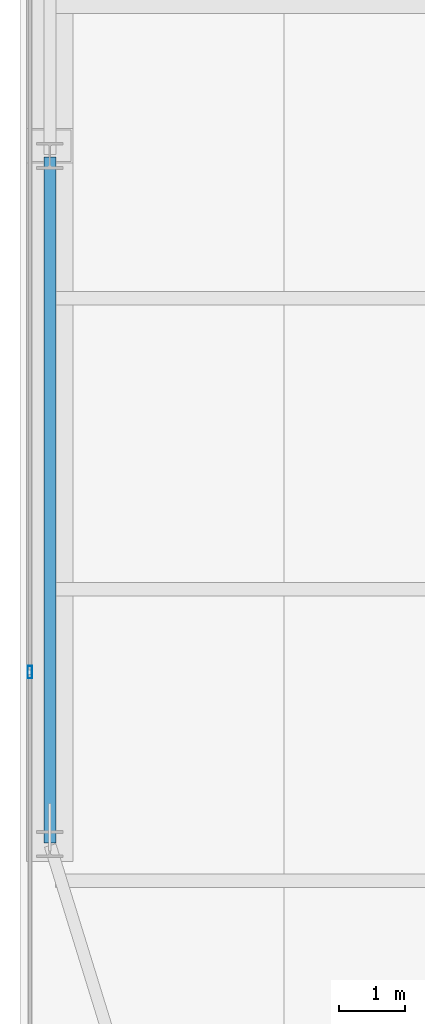
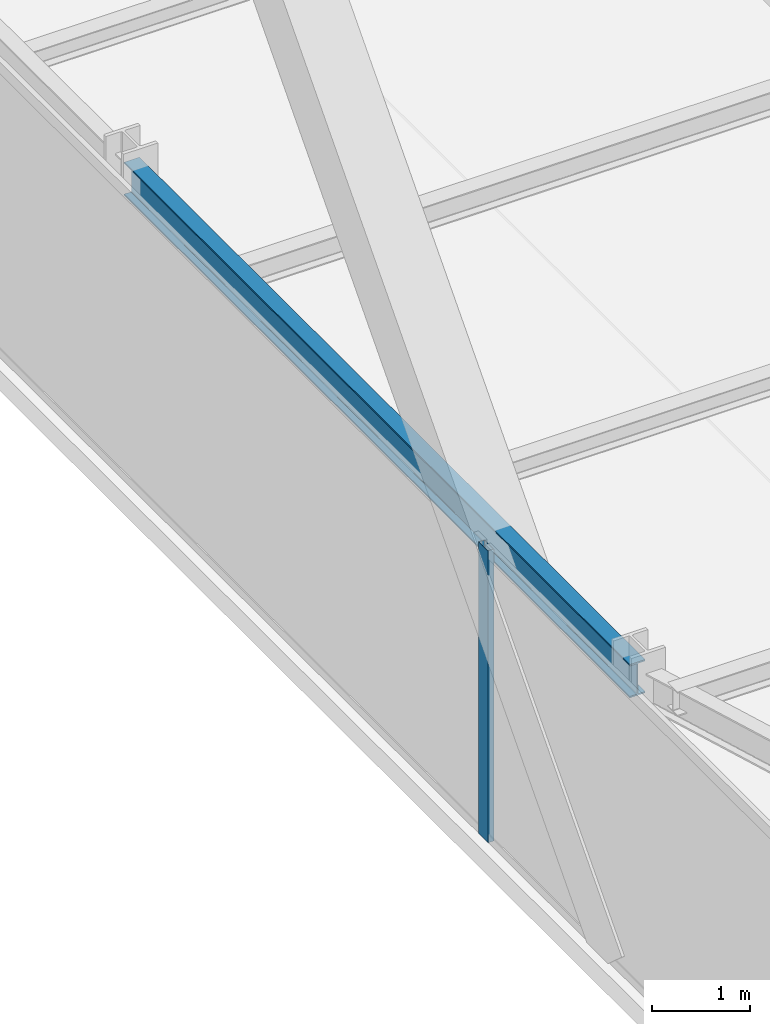
# One storey, part 9 of 32: 1 beam, 1 member, 1 element without a shape of its own.
"""IFC4 building model written with IfcOpenShell, lengths in metres."""

from ifc_helpers import new_model, si_unit, direction, frame, origin, origin_2d, place, context, subcontext, project, spatial, hollow_rectangle, i_section, extrude, source, transform, mapped, material, layer, layer_set, material_profile, profile_set, type_object, type_shapes, element, aggregate, save


model = new_model("IFC4")

# Units and contexts
model_context = context("Model", 3, precision=1e-05, world=origin(), true_north=direction((0.0, 1.0)))
body_context = subcontext(model_context, "Body", "Model", "MODEL_VIEW")
ifc_project = project(units=[si_unit("LENGTHUNIT", "METRE"), si_unit("AREAUNIT", "SQUARE_METRE"), si_unit("VOLUMEUNIT", "CUBIC_METRE"), si_unit("PLANEANGLEUNIT", "RADIAN"), si_unit("MASSUNIT", "GRAM", prefix="KILO")], contexts=[model_context])

# Site, building, storey
site_placement = place(None, origin())
site = spatial("IfcSite", under=ifc_project, at=site_placement, CompositionType="ELEMENT")
building_placement = place(site_placement, origin())
building = spatial("IfcBuilding", under=site, at=building_placement, Name="Varnel Quay Broadcast Tower", CompositionType="ELEMENT")
storey_placement = place(building_placement, frame((0.0, 0.0, 58.800048828125)))
storey = spatial("IfcBuildingStorey", under=building, at=storey_placement, Name="L13", CompositionType="ELEMENT", Elevation=58.800048828125)

# Beam
ifc_material_1 = material(Name="Structural Steel CSA G40.21 350W", Category="steel")
ifc_material_profile_1 = material_profile(ifc_material_1, i_section(OverallWidth=0.180908203125, OverallDepth=0.4169921875, WebThickness=0.010986328125, FlangeThickness=0.018310546875, FilletRadius=0.011962890625, at=origin_2d()), Name="W410X85")
ifc_profile_set_1 = profile_set([ifc_material_profile_1], Name="Structural Steel CSA G40.21 350W")
beam_type = type_object("IfcBeamType", Name="Beam_W410X85", PredefinedType="SPANDREL", material=ifc_profile_set_1)
shared_shape_1 = source(origin(), body_context, "Body", "SweptSolid", [
    extrude(i_section(OverallWidth=0.180908203125, OverallDepth=0.4169921875, WebThickness=0.010986328125, FlangeThickness=0.018310546875, FilletRadius=0.011962890625, at=origin_2d()), origin(), (0.0, 0.0, 1.0), 10.35986328125),
])
type_shapes(beam_type, [shared_shape_1])
beam_placement = place(storey_placement, frame((2.449951171875, 15.02001953125, 3.44140625), z_axis=(0.0, 1.0, 0.0), x_axis=(-1.0, 0.0, 0.0)))
element("IfcBeam", 1, at=beam_placement, inside=storey, type_object=beam_type, Name="L13 West Spandrel TC-W1-TC-W2", PredefinedType="SPANDREL", context=body_context, shape_type="MappedRepresentation", body=[
    mapped(shared_shape_1, transform((0.0, 0.0, 0.0), x_axis=(1.0, 0.0, 0.0), y_axis=(0.0, 1.0, 0.0), z_axis=(0.0, 0.0, 1.0), scale=1.0)),
])

# Curtain wall, member
ifc_material_2 = material(Name="Anodised Bronze Aluminium 6063-T6", Category="aluminium")
ifc_layer = layer(ifc_material_2, 0.18994140625, Name="Anodised Bronze Aluminium 6063-T6")
ifc_layer_set = layer_set([ifc_layer], Name="Anodised Bronze Aluminium 6063-T6")
curtain_wall_type = type_object("IfcCurtainWallType", Name="CW_LowerTower", PredefinedType="NOTDEFINED", material=ifc_layer_set)
curtain_wall_placement = place(storey_placement, origin())
curtain_wall = element("IfcCurtainWall", 2, at=curtain_wall_placement, inside=storey, type_object=curtain_wall_type, Name="L13 West Unitised Curtain Wall", PredefinedType="NOTDEFINED")
ifc_material_profile_2 = material_profile(ifc_material_2, hollow_rectangle(XDim=0.070068359375, YDim=0.18994140625, WallThickness=0.00390625, at=origin_2d()), Name="ALU70X190X4")
ifc_profile_set_2 = profile_set([ifc_material_profile_2], Name="Anodised Bronze Aluminium 6063-T6")
member_type = type_object("IfcMemberType", Name="Mull_CWS-02", PredefinedType="MULLION", material=ifc_profile_set_2)
shared_shape_2 = source(origin(), body_context, "Body", "SweptSolid", [
    extrude(hollow_rectangle(XDim=0.070068359375, YDim=0.18994140625, WallThickness=0.00390625, at=origin_2d()), origin(), (0.0, 0.0, 1.0), 3.64990234375),
])
type_shapes(member_type, [shared_shape_2])
member_placement = place(storey_placement, frame((2.14990234375, 17.60009765625, 0.0), z_axis=(0.0, 0.0, 1.0), x_axis=(-1.0, 0.0, 0.0)))
member = element("IfcMember", 3, at=member_placement, type_object=member_type, Name="CWS-02 mullion 2", PredefinedType="MULLION", context=body_context, shape_type="MappedRepresentation", body=[
    mapped(shared_shape_2, transform((0.0, 0.0, 0.0), x_axis=(1.0, 0.0, 0.0), y_axis=(0.0, 1.0, 0.0), z_axis=(0.0, 0.0, 1.0), scale=1.0)),
])
aggregate(curtain_wall, [member])

save(model, "model.ifc")
